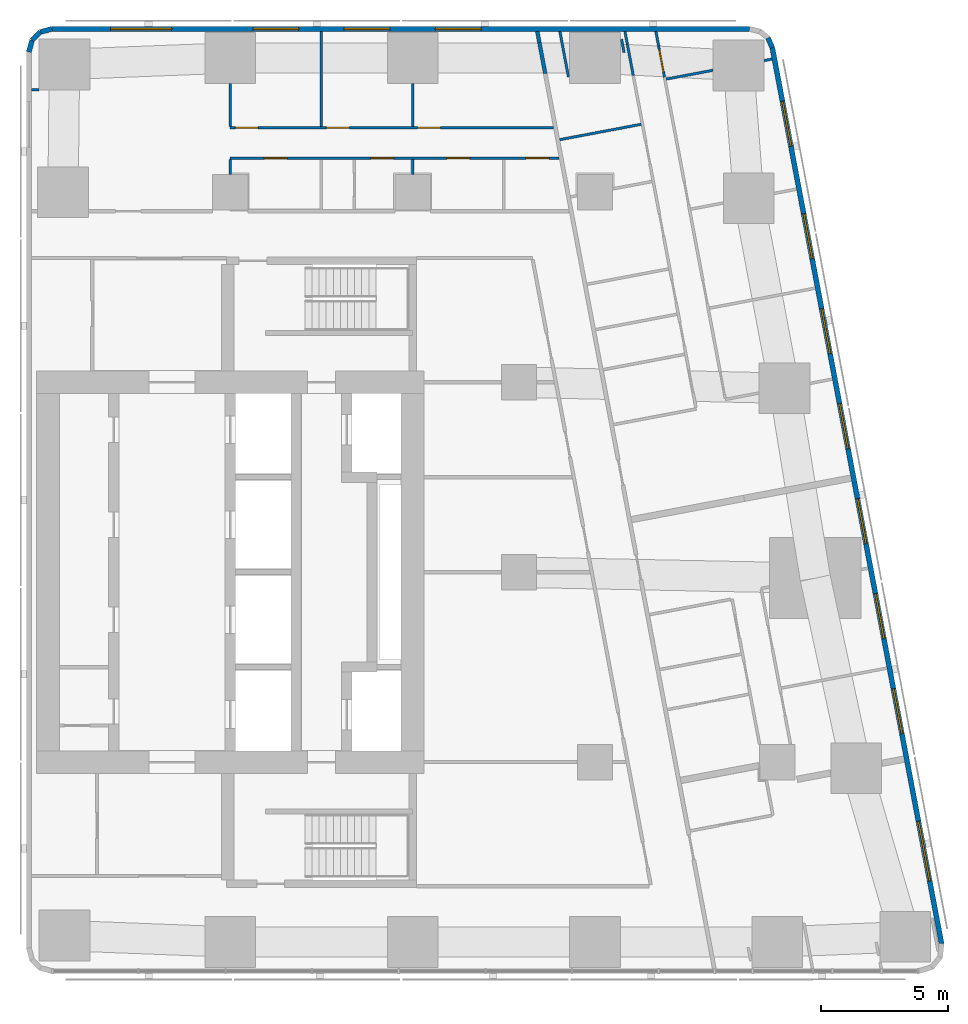
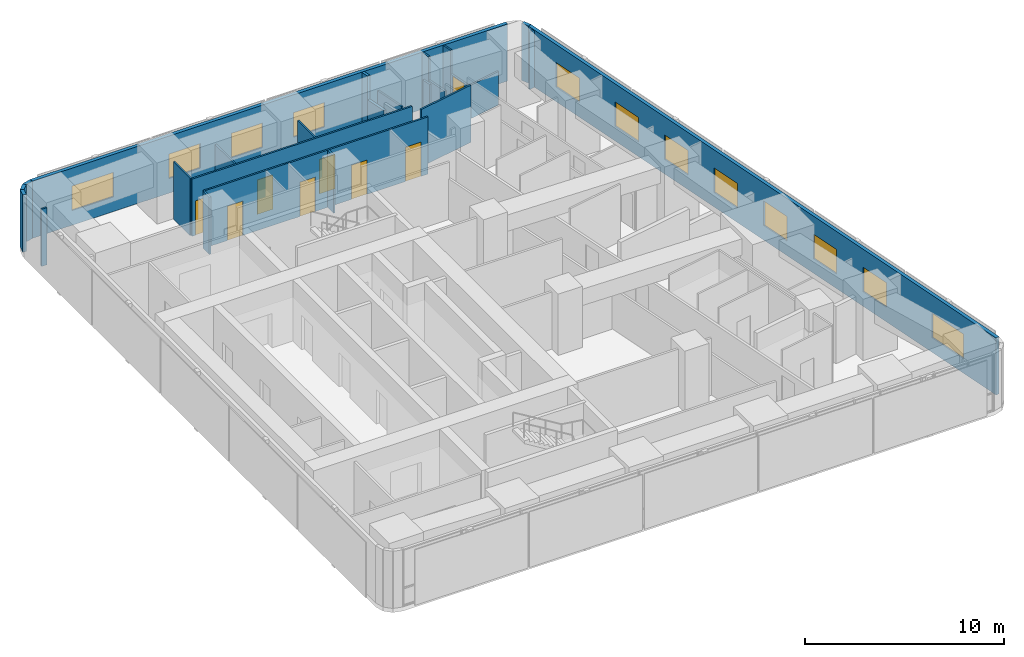
# One storey, part 8 of 11: 25 walls, 12 windows, 8 doors, 20 openings.
"""IFC4 building model written with IfcOpenShell, lengths in metres."""

from ifc_helpers import new_model, si_unit, direction, frame, frame_2d, origin, place, context, subcontext, project, spatial, rectangle, extrude, material, layer, layer_set, type_object, element, fill, save


model = new_model("IFC4")

# Units and contexts
model_context = context("Model", 3, precision=1e-05, world=origin(), true_north=direction((0.0, 1.0)))
body_context = subcontext(model_context, "Body", "Model", "MODEL_VIEW")
ifc_project = project(units=[si_unit("LENGTHUNIT", "METRE"), si_unit("AREAUNIT", "SQUARE_METRE"), si_unit("VOLUMEUNIT", "CUBIC_METRE"), si_unit("PLANEANGLEUNIT", "RADIAN"), si_unit("MASSUNIT", "GRAM", prefix="KILO")], contexts=[model_context])

# Site, building, storey
site_placement = place(None, origin())
site = spatial("IfcSite", under=ifc_project, at=site_placement, CompositionType="ELEMENT")
building_placement = place(site_placement, origin())
building = spatial("IfcBuilding", under=site, at=building_placement, Name="Sheger Commons Tower", CompositionType="ELEMENT")
storey_placement = place(building_placement, frame((0.0, 0.0, 270.35009765625)))
storey = spatial("IfcBuildingStorey", under=building, at=storey_placement, Name="L69", CompositionType="ELEMENT", Elevation=270.35009765625)

# Walls
ifc_material_1 = material(Name="Hollow concrete block masonry, skimmed both sides", Category="masonry")
ifc_layer_1 = layer(ifc_material_1, 0.14990234375)
ifc_layer_set_1 = layer_set([ifc_layer_1], Name="CORRIDOR WALL 150")
wall_type_1 = type_object("IfcWallType", Name="CORRIDOR WALL 150", PredefinedType="SOLIDWALL", material=ifc_layer_set_1)
wall_1_placement = place(storey_placement, frame((33.721923828125, 43.85009765625, 0.0), z_axis=(0.0, 0.0, 1.0), x_axis=(0.184886516626, -0.982759877066, 0.0)))
element("IfcWall", 1, at=wall_1_placement, inside=storey, type_object=wall_type_1, Name="Corridor wall L69", PredefinedType="SOLIDWALL", context=body_context, shape_type="SweptSolid", body=[
    extrude(rectangle(XDim=0.443603515625, YDim=0.14990234375, at=frame_2d((0.2216796875, 0.0))), origin(), (0.0, 0.0, 1.0), 3.5),
])
wall_2_placement = place(storey_placement, frame((33.803955078125, 43.4140625, 0.0), z_axis=(0.0, 0.0, 1.0), x_axis=(0.185585816539, -0.982628060204, 0.0)))
element("IfcWall", 2, at=wall_2_placement, inside=storey, type_object=wall_type_1, Name="Corridor wall L69", PredefinedType="SOLIDWALL", context=body_context, shape_type="SweptSolid", body=[
    extrude(rectangle(XDim=1.249755859375, YDim=0.14990234375, at=frame_2d((0.625, 0.0))), origin(), (0.0, 0.0, 1.0), 2.0498046875),
])

# Wall, openings, windows
ifc_material_2 = material(Name="Rendered concrete block masonry, dark grey", Category="masonry")
ifc_layer_2 = layer(ifc_material_2, 0.199951171875)
ifc_layer_set_2 = layer_set([ifc_layer_2], Name="FACADE WALL 200")
wall_type_2 = type_object("IfcWallType", Name="FACADE WALL 200", PredefinedType="SOLIDWALL", material=ifc_layer_set_2)
wall_3_placement = place(storey_placement, frame((49.68408203125, 7.83203125, 0.0), z_axis=(0.0, 0.0, 1.0), x_axis=(-0.185616669694, 0.982622232565, 0.0)))
wall_3 = element("IfcWall", 3, at=wall_3_placement, inside=storey, type_object=wall_type_2, Name="Facade wall L69", PredefinedType="SOLIDWALL", context=body_context, shape_type="SweptSolid", body=[
    extrude(rectangle(XDim=35.99951171875, YDim=0.199951171875, at=frame_2d((17.999755859375, 0.0))), origin(), (0.0, 0.0, 1.0), 3.5),
])
opening_1_placement = place(wall_3_placement, frame((2.51806640625, 0.0, 0.89990234375)))
opening_1 = element("IfcOpeningElement", 4, at=opening_1_placement, cuts=wall_3, Name="Opening W1", PredefinedType="OPENING", context=body_context, shape_type="SweptSolid", body=[
    extrude(rectangle(XDim=2.39990234375, YDim=1.5, at=frame_2d((1.199951171875, 0.75))), frame((0.0, 0.10986328125, 0.0), z_axis=(0.0, -1.0, 0.0), x_axis=(1.0, 0.0, 0.0)), (0.0, 0.0, 1.0), 0.219970703125),
])
opening_2_placement = place(wall_3_placement, frame((8.444091796875, 0.0, 0.89990234375)))
opening_2 = element("IfcOpeningElement", 5, at=opening_2_placement, cuts=wall_3, Name="Opening W2", PredefinedType="OPENING", context=body_context, shape_type="SweptSolid", body=[
    extrude(rectangle(XDim=1.800048828125, YDim=1.5, at=frame_2d((0.89990234375, 0.75))), frame((0.0, 0.10986328125, 0.0), z_axis=(0.0, -1.0, 0.0), x_axis=(1.0, 0.0, 0.0)), (0.0, 0.0, 1.0), 0.219970703125),
])
opening_3_placement = place(wall_3_placement, frame((12.260986328125, 0.0, 0.89990234375)))
opening_3 = element("IfcOpeningElement", 6, at=opening_3_placement, cuts=wall_3, Name="Opening W2", PredefinedType="OPENING", context=body_context, shape_type="SweptSolid", body=[
    extrude(rectangle(XDim=1.800048828125, YDim=1.5, at=frame_2d((0.89990234375, 0.75))), frame((0.0, 0.10986328125, 0.0), z_axis=(0.0, -1.0, 0.0), x_axis=(1.0, 0.0, 0.0)), (0.0, 0.0, 1.0), 0.219970703125),
])
opening_4_placement = place(wall_3_placement, frame((16.077880859375, 0.0, 0.89990234375)))
opening_4 = element("IfcOpeningElement", 7, at=opening_4_placement, cuts=wall_3, Name="Opening W2", PredefinedType="OPENING", context=body_context, shape_type="SweptSolid", body=[
    extrude(rectangle(XDim=1.800048828125, YDim=1.5, at=frame_2d((0.89990234375, 0.75))), frame((0.0, 0.10986328125, 0.0), z_axis=(0.0, -1.0, 0.0), x_axis=(1.0, 0.0, 0.0)), (0.0, 0.0, 1.0), 0.219970703125),
])
opening_5_placement = place(wall_3_placement, frame((19.89404296875, 0.0, 0.89990234375)))
opening_5 = element("IfcOpeningElement", 8, at=opening_5_placement, cuts=wall_3, Name="Opening W2", PredefinedType="OPENING", context=body_context, shape_type="SweptSolid", body=[
    extrude(rectangle(XDim=1.800048828125, YDim=1.5, at=frame_2d((0.89990234375, 0.75))), frame((0.0, 0.10986328125, 0.0), z_axis=(0.0, -1.0, 0.0), x_axis=(1.0, 0.0, 0.0)), (0.0, 0.0, 1.0), 0.219970703125),
])
opening_6_placement = place(wall_3_placement, frame((23.7099609375, 0.0, 0.89990234375)))
opening_6 = element("IfcOpeningElement", 9, at=opening_6_placement, cuts=wall_3, Name="Opening W2", PredefinedType="OPENING", context=body_context, shape_type="SweptSolid", body=[
    extrude(rectangle(XDim=1.800048828125, YDim=1.5, at=frame_2d((0.89990234375, 0.75))), frame((0.0, 0.10986328125, 0.0), z_axis=(0.0, -1.0, 0.0), x_axis=(1.0, 0.0, 0.0)), (0.0, 0.0, 1.0), 0.219970703125),
])
opening_7_placement = place(wall_3_placement, frame((27.52587890625, 0.0, 0.89990234375)))
opening_7 = element("IfcOpeningElement", 10, at=opening_7_placement, cuts=wall_3, Name="Opening W2", PredefinedType="OPENING", context=body_context, shape_type="SweptSolid", body=[
    extrude(rectangle(XDim=1.800048828125, YDim=1.5, at=frame_2d((0.89990234375, 0.75))), frame((0.0, 0.10986328125, 0.0), z_axis=(0.0, -1.0, 0.0), x_axis=(1.0, 0.0, 0.0)), (0.0, 0.0, 1.0), 0.219970703125),
])
opening_8_placement = place(wall_3_placement, frame((32.0458984375, 0.0, 0.89990234375)))
opening_8 = element("IfcOpeningElement", 11, at=opening_8_placement, cuts=wall_3, Name="Opening W2", PredefinedType="OPENING", context=body_context, shape_type="SweptSolid", body=[
    extrude(rectangle(XDim=1.800048828125, YDim=1.5, at=frame_2d((0.89990234375, 0.75))), frame((0.0, 0.10986328125, 0.0), z_axis=(0.0, -1.0, 0.0), x_axis=(1.0, 0.0, 0.0)), (0.0, 0.0, 1.0), 0.219970703125),
])
ifc_material_3 = material(Name="Black aluminium frame, dark tinted double glazing", Category="aluminium")
window_type_1 = type_object("IfcWindowType", Name="WINDOW W1 2400x1500", PartitioningType="SINGLE_PANEL", PredefinedType="WINDOW", material=ifc_material_3)
window_1_placement = place(opening_1_placement, origin())
window_1 = element("IfcWindow", 12, at=window_1_placement, inside=storey, type_object=window_type_1, Name="Window W1 2400X1500", OverallHeight=1.5, OverallWidth=2.39990234375, PartitioningType="SINGLE_PANEL", PredefinedType="WINDOW", context=body_context, shape_type="SweptSolid", body=[
    extrude(rectangle(XDim=2.39990234375, YDim=1.5, at=frame_2d((1.199951171875, 0.75))), frame((0.0, 0.030029296875, 0.0), z_axis=(0.0, -1.0, 0.0), x_axis=(1.0, 0.0, 0.0)), (0.0, 0.0, 1.0), 0.06005859375),
])
fill(opening_1, window_1)
ifc_material_4 = material(Name="Black aluminium frame, dark tinted double glazing", Category="aluminium")
window_type_2 = type_object("IfcWindowType", Name="WINDOW W2 1800x1500", PartitioningType="SINGLE_PANEL", PredefinedType="WINDOW", material=ifc_material_4)
window_2_placement = place(opening_2_placement, origin())
window_2 = element("IfcWindow", 13, at=window_2_placement, inside=storey, type_object=window_type_2, Name="Window W2 1800X1500", OverallHeight=1.5, OverallWidth=1.800048828125, PartitioningType="SINGLE_PANEL", PredefinedType="WINDOW", context=body_context, shape_type="SweptSolid", body=[
    extrude(rectangle(XDim=1.800048828125, YDim=1.5, at=frame_2d((0.89990234375, 0.75))), frame((0.0, 0.030029296875, 0.0), z_axis=(0.0, -1.0, 0.0), x_axis=(1.0, 0.0, 0.0)), (0.0, 0.0, 1.0), 0.06005859375),
])
fill(opening_2, window_2)
window_3_placement = place(opening_3_placement, origin())
window_3 = element("IfcWindow", 14, at=window_3_placement, inside=storey, type_object=window_type_2, Name="Window W2 1800X1500", OverallHeight=1.5, OverallWidth=1.800048828125, PartitioningType="SINGLE_PANEL", PredefinedType="WINDOW", context=body_context, shape_type="SweptSolid", body=[
    extrude(rectangle(XDim=1.800048828125, YDim=1.5, at=frame_2d((0.89990234375, 0.75))), frame((0.0, 0.030029296875, 0.0), z_axis=(0.0, -1.0, 0.0), x_axis=(1.0, 0.0, 0.0)), (0.0, 0.0, 1.0), 0.06005859375),
])
fill(opening_3, window_3)
window_4_placement = place(opening_4_placement, origin())
window_4 = element("IfcWindow", 15, at=window_4_placement, inside=storey, type_object=window_type_2, Name="Window W2 1800X1500", OverallHeight=1.5, OverallWidth=1.800048828125, PartitioningType="SINGLE_PANEL", PredefinedType="WINDOW", context=body_context, shape_type="SweptSolid", body=[
    extrude(rectangle(XDim=1.800048828125, YDim=1.5, at=frame_2d((0.89990234375, 0.75))), frame((0.0, 0.030029296875, 0.0), z_axis=(0.0, -1.0, 0.0), x_axis=(1.0, 0.0, 0.0)), (0.0, 0.0, 1.0), 0.06005859375),
])
fill(opening_4, window_4)
window_5_placement = place(opening_5_placement, origin())
window_5 = element("IfcWindow", 16, at=window_5_placement, inside=storey, type_object=window_type_2, Name="Window W2 1800X1500", OverallHeight=1.5, OverallWidth=1.800048828125, PartitioningType="SINGLE_PANEL", PredefinedType="WINDOW", context=body_context, shape_type="SweptSolid", body=[
    extrude(rectangle(XDim=1.800048828125, YDim=1.5, at=frame_2d((0.89990234375, 0.75))), frame((0.0, 0.030029296875, 0.0), z_axis=(0.0, -1.0, 0.0), x_axis=(1.0, 0.0, 0.0)), (0.0, 0.0, 1.0), 0.06005859375),
])
fill(opening_5, window_5)
window_6_placement = place(opening_6_placement, origin())
window_6 = element("IfcWindow", 17, at=window_6_placement, inside=storey, type_object=window_type_2, Name="Window W2 1800X1500", OverallHeight=1.5, OverallWidth=1.800048828125, PartitioningType="SINGLE_PANEL", PredefinedType="WINDOW", context=body_context, shape_type="SweptSolid", body=[
    extrude(rectangle(XDim=1.800048828125, YDim=1.5, at=frame_2d((0.89990234375, 0.75))), frame((0.0, 0.030029296875, 0.0), z_axis=(0.0, -1.0, 0.0), x_axis=(1.0, 0.0, 0.0)), (0.0, 0.0, 1.0), 0.06005859375),
])
fill(opening_6, window_6)
window_7_placement = place(opening_7_placement, origin())
window_7 = element("IfcWindow", 18, at=window_7_placement, inside=storey, type_object=window_type_2, Name="Window W2 1800X1500", OverallHeight=1.5, OverallWidth=1.800048828125, PartitioningType="SINGLE_PANEL", PredefinedType="WINDOW", context=body_context, shape_type="SweptSolid", body=[
    extrude(rectangle(XDim=1.800048828125, YDim=1.5, at=frame_2d((0.89990234375, 0.75))), frame((0.0, 0.030029296875, 0.0), z_axis=(0.0, -1.0, 0.0), x_axis=(1.0, 0.0, 0.0)), (0.0, 0.0, 1.0), 0.06005859375),
])
fill(opening_7, window_7)
window_8_placement = place(opening_8_placement, origin())
window_8 = element("IfcWindow", 19, at=window_8_placement, inside=storey, type_object=window_type_2, Name="Window W2 1800X1500", OverallHeight=1.5, OverallWidth=1.800048828125, PartitioningType="SINGLE_PANEL", PredefinedType="WINDOW", context=body_context, shape_type="SweptSolid", body=[
    extrude(rectangle(XDim=1.800048828125, YDim=1.5, at=frame_2d((0.89990234375, 0.75))), frame((0.0, 0.030029296875, 0.0), z_axis=(0.0, -1.0, 0.0), x_axis=(1.0, 0.0, 0.0)), (0.0, 0.0, 1.0), 0.06005859375),
])
fill(opening_8, window_8)

# Wall
wall_4_placement = place(storey_placement, frame((43.001953125, 43.2060546875, 0.0), z_axis=(0.0, 0.0, 1.0), x_axis=(-0.40678170573, 0.913525393124, 0.0)))
element("IfcWall", 20, at=wall_4_placement, inside=storey, type_object=wall_type_2, Name="Facade wall L69", PredefinedType="SOLIDWALL", context=body_context, shape_type="SweptSolid", body=[
    extrude(rectangle(XDim=0.422607421875, YDim=0.199951171875, at=frame_2d((0.21142578125, 0.0))), origin(), (0.0, 0.0, 1.0), 3.5),
])

# Wall, openings, windows
wall_5_placement = place(storey_placement, frame((42.10302734375, 43.949951171875, 0.0), z_axis=(0.0, 0.0, 1.0), x_axis=(-1.0, 0.0, 0.0)))
wall_5 = element("IfcWall", 21, at=wall_5_placement, inside=storey, type_object=wall_type_2, Name="Facade wall L69", PredefinedType="SOLIDWALL", context=body_context, shape_type="SweptSolid", body=[
    extrude(rectangle(XDim=27.5400390625, YDim=0.199951171875, at=frame_2d((13.77001953125, 0.0))), origin(), (0.0, 0.0, 1.0), 3.5),
])
opening_9_placement = place(wall_5_placement, frame((10.60302734375, 0.0, 0.89990234375)))
opening_9 = element("IfcOpeningElement", 22, at=opening_9_placement, cuts=wall_5, Name="Opening W2", PredefinedType="OPENING", context=body_context, shape_type="SweptSolid", body=[
    extrude(rectangle(XDim=1.800048828125, YDim=1.5, at=frame_2d((0.89990234375, 0.75))), frame((0.0, 0.10986328125, 0.0), z_axis=(0.0, -1.0, 0.0), x_axis=(1.0, 0.0, 0.0)), (0.0, 0.0, 1.0), 0.219970703125),
])
opening_10_placement = place(wall_5_placement, frame((14.202880859375, 0.0, 0.89990234375)))
opening_10 = element("IfcOpeningElement", 23, at=opening_10_placement, cuts=wall_5, Name="Opening W2", PredefinedType="OPENING", context=body_context, shape_type="SweptSolid", body=[
    extrude(rectangle(XDim=1.800048828125, YDim=1.5, at=frame_2d((0.89990234375, 0.75))), frame((0.0, 0.10986328125, 0.0), z_axis=(0.0, -1.0, 0.0), x_axis=(1.0, 0.0, 0.0)), (0.0, 0.0, 1.0), 0.219970703125),
])
opening_11_placement = place(wall_5_placement, frame((17.802978515625, 0.0, 0.89990234375)))
opening_11 = element("IfcOpeningElement", 24, at=opening_11_placement, cuts=wall_5, Name="Opening W2", PredefinedType="OPENING", context=body_context, shape_type="SweptSolid", body=[
    extrude(rectangle(XDim=1.800048828125, YDim=1.5, at=frame_2d((0.89990234375, 0.75))), frame((0.0, 0.10986328125, 0.0), z_axis=(0.0, -1.0, 0.0), x_axis=(1.0, 0.0, 0.0)), (0.0, 0.0, 1.0), 0.219970703125),
])
opening_12_placement = place(wall_5_placement, frame((22.822021484375, 0.0, 0.89990234375)))
opening_12 = element("IfcOpeningElement", 25, at=opening_12_placement, cuts=wall_5, Name="Opening W1", PredefinedType="OPENING", context=body_context, shape_type="SweptSolid", body=[
    extrude(rectangle(XDim=2.39990234375, YDim=1.5, at=frame_2d((1.199951171875, 0.75))), frame((0.0, 0.10986328125, 0.0), z_axis=(0.0, -1.0, 0.0), x_axis=(1.0, 0.0, 0.0)), (0.0, 0.0, 1.0), 0.219970703125),
])
window_9_placement = place(opening_12_placement, origin())
window_9 = element("IfcWindow", 26, at=window_9_placement, inside=storey, type_object=window_type_1, Name="Window W1 2400X1500", OverallHeight=1.5, OverallWidth=2.39990234375, PartitioningType="SINGLE_PANEL", PredefinedType="WINDOW", context=body_context, shape_type="SweptSolid", body=[
    extrude(rectangle(XDim=2.39990234375, YDim=1.5, at=frame_2d((1.199951171875, 0.75))), frame((0.0, 0.030029296875, 0.0), z_axis=(0.0, -1.0, 0.0), x_axis=(1.0, 0.0, 0.0)), (0.0, 0.0, 1.0), 0.06005859375),
])
fill(opening_12, window_9)
window_10_placement = place(opening_9_placement, origin())
window_10 = element("IfcWindow", 27, at=window_10_placement, inside=storey, type_object=window_type_2, Name="Window W2 1800X1500", OverallHeight=1.5, OverallWidth=1.800048828125, PartitioningType="SINGLE_PANEL", PredefinedType="WINDOW", context=body_context, shape_type="SweptSolid", body=[
    extrude(rectangle(XDim=1.800048828125, YDim=1.5, at=frame_2d((0.89990234375, 0.75))), frame((0.0, 0.030029296875, 0.0), z_axis=(0.0, -1.0, 0.0), x_axis=(1.0, 0.0, 0.0)), (0.0, 0.0, 1.0), 0.06005859375),
])
fill(opening_9, window_10)
window_11_placement = place(opening_10_placement, origin())
window_11 = element("IfcWindow", 28, at=window_11_placement, inside=storey, type_object=window_type_2, Name="Window W2 1800X1500", OverallHeight=1.5, OverallWidth=1.800048828125, PartitioningType="SINGLE_PANEL", PredefinedType="WINDOW", context=body_context, shape_type="SweptSolid", body=[
    extrude(rectangle(XDim=1.800048828125, YDim=1.5, at=frame_2d((0.89990234375, 0.75))), frame((0.0, 0.030029296875, 0.0), z_axis=(0.0, -1.0, 0.0), x_axis=(1.0, 0.0, 0.0)), (0.0, 0.0, 1.0), 0.06005859375),
])
fill(opening_10, window_11)
window_12_placement = place(opening_11_placement, origin())
window_12 = element("IfcWindow", 29, at=window_12_placement, inside=storey, type_object=window_type_2, Name="Window W2 1800X1500", OverallHeight=1.5, OverallWidth=1.800048828125, PartitioningType="SINGLE_PANEL", PredefinedType="WINDOW", context=body_context, shape_type="SweptSolid", body=[
    extrude(rectangle(XDim=1.800048828125, YDim=1.5, at=frame_2d((0.89990234375, 0.75))), frame((0.0, 0.030029296875, 0.0), z_axis=(0.0, -1.0, 0.0), x_axis=(1.0, 0.0, 0.0)), (0.0, 0.0, 1.0), 0.06005859375),
])
fill(opening_11, window_12)

# Walls
wall_6_placement = place(storey_placement, frame((14.56298828125, 43.949951171875, 0.0), z_axis=(0.0, 0.0, 1.0), x_axis=(-0.965655254015, -0.259826731483, 0.0)))
element("IfcWall", 30, at=wall_6_placement, inside=storey, type_object=wall_type_2, Name="Facade wall L69", PredefinedType="SOLIDWALL", context=body_context, shape_type="SweptSolid", body=[
    extrude(rectangle(XDim=0.477294921875, YDim=0.199951171875, at=frame_2d((0.23876953125, 0.0))), origin(), (0.0, 0.0, 1.0), 3.5),
])
wall_7_placement = place(storey_placement, frame((14.10205078125, 43.825927734375, 0.0), z_axis=(0.0, 0.0, 1.0), x_axis=(-0.707369890659, -0.706843573776, 0.0)))
element("IfcWall", 31, at=wall_7_placement, inside=storey, type_object=wall_type_2, Name="Facade wall L69", PredefinedType="SOLIDWALL", context=body_context, shape_type="SweptSolid", body=[
    extrude(rectangle(XDim=0.4638671875, YDim=0.199951171875, at=frame_2d((0.23193359375, 0.0))), origin(), (0.0, 0.0, 1.0), 3.5),
])
wall_8_placement = place(storey_placement, frame((13.77392578125, 43.498046875, 0.0), z_axis=(0.0, 0.0, 1.0), x_axis=(-0.259826731483, -0.965655254015, 0.0)))
element("IfcWall", 32, at=wall_8_placement, inside=storey, type_object=wall_type_2, Name="Facade wall L69", PredefinedType="SOLIDWALL", context=body_context, shape_type="SweptSolid", body=[
    extrude(rectangle(XDim=0.477294921875, YDim=0.199951171875, at=frame_2d((0.23876953125, 0.0))), origin(), (0.0, 0.0, 1.0), 3.5),
])
ifc_material_5 = material(Name="Gypsum board on steel studs", Category="steel")
ifc_layer_3 = layer(ifc_material_5, 0.10009765625)
ifc_layer_set_3 = layer_set([ifc_layer_3], Name="PARTITION 100")
wall_type_3 = type_object("IfcWallType", Name="PARTITION 100", PredefinedType="PARTITIONING", material=ifc_layer_set_3)
wall_9_placement = place(storey_placement, frame((34.951904296875, 42.054931640625, 0.0), z_axis=(0.0, 0.0, 1.0), x_axis=(-0.185490642006, 0.98264603074, 0.0)))
element("IfcWall", 33, at=wall_9_placement, inside=storey, type_object=wall_type_3, Name="Partition L69", PredefinedType="PARTITIONING", context=body_context, shape_type="SweptSolid", body=[
    extrude(rectangle(XDim=1.826904296875, YDim=0.10009765625, at=frame_2d((0.91357421875, 0.0))), origin(), (0.0, 0.0, 1.0), 2.0498046875),
])
wall_10_placement = place(storey_placement, frame((37.049072265625, 43.5390625, 0.0), z_axis=(0.0, 0.0, 1.0), x_axis=(0.186119495745, -0.982527115811, 0.0)))
element("IfcWall", 34, at=wall_10_placement, inside=storey, type_object=wall_type_3, Name="Partition L69", PredefinedType="PARTITIONING", context=body_context, shape_type="SweptSolid", body=[
    extrude(rectangle(XDim=0.53125, YDim=0.10009765625, at=frame_2d((0.265625, 0.0))), origin(), (0.0, 0.0, 1.0), 2.0498046875),
])
wall_11_placement = place(storey_placement, frame((38.403076171875, 43.85009765625, 0.0), z_axis=(0.0, 0.0, 1.0), x_axis=(0.184976954078, -0.982742858768, 0.0)))
element("IfcWall", 35, at=wall_11_placement, inside=storey, type_object=wall_type_3, Name="Partition L69", PredefinedType="PARTITIONING", context=body_context, shape_type="SweptSolid", body=[
    extrude(rectangle(XDim=0.578125, YDim=0.10009765625, at=frame_2d((0.2890625, 0.0))), origin(), (0.0, 0.0, 1.0), 3.5),
])

# Wall, opening, door
wall_12_placement = place(storey_placement, frame((38.510009765625, 43.281982421875, 0.0), z_axis=(0.0, 0.0, 1.0), x_axis=(0.185775287495, -0.982592256511, 0.0)))
wall_12 = element("IfcWall", 36, at=wall_12_placement, inside=storey, type_object=wall_type_3, Name="Partition L69", PredefinedType="PARTITIONING", context=body_context, shape_type="SweptSolid", body=[
    extrude(rectangle(XDim=1.259033203125, YDim=0.10009765625, at=frame_2d((0.62939453125, 0.0))), origin(), (0.0, 0.0, 1.0), 2.0498046875),
])
opening_13_placement = place(wall_12_placement, frame((0.14990234375, 0.0, 0.0)))
opening_13 = element("IfcOpeningElement", 37, at=opening_13_placement, cuts=wall_12, Name="Opening D11", PredefinedType="OPENING", context=body_context, shape_type="SweptSolid", body=[
    extrude(rectangle(XDim=0.89990234375, YDim=2.0, at=frame_2d((0.449951171875, 1.0))), frame((0.0, 0.06005859375, 0.0), z_axis=(0.0, -1.0, 0.0), x_axis=(1.0, 0.0, 0.0)), (0.0, 0.0, 1.0), 0.1201171875),
])
ifc_material_6 = material(Name="Timber door set", Category="wood")
door_type_1 = type_object("IfcDoorType", Name="INTERNAL DOOR 900x2000", OperationType="NOTDEFINED", PredefinedType="DOOR", material=ifc_material_6)
door_1_placement = place(opening_13_placement, origin())
door_1 = element("IfcDoor", 38, at=door_1_placement, inside=storey, type_object=door_type_1, Name="Dressing room door", OperationType="SINGLE_SWING_LEFT", OverallHeight=2.0, OverallWidth=0.89990234375, PredefinedType="DOOR", context=body_context, shape_type="SweptSolid", body=[
    extrude(rectangle(XDim=0.89990234375, YDim=2.0, at=frame_2d((0.449951171875, 1.0))), frame((0.0, 0.02490234375, 0.0), z_axis=(0.0, -1.0, 0.0), x_axis=(1.0, 0.0, 0.0)), (0.0, 0.0, 1.0), 0.050048828125),
])
fill(opening_13, door_1)

# Walls
wall_13_placement = place(storey_placement, frame((37.181884765625, 43.85009765625, 0.0), z_axis=(0.0, 0.0, 1.0), x_axis=(0.18558124934, -0.982628922785, 0.0)))
element("IfcWall", 39, at=wall_13_placement, inside=storey, type_object=wall_type_3, Name="Partition L69", PredefinedType="PARTITIONING", context=body_context, shape_type="SweptSolid", body=[
    extrude(rectangle(XDim=0.51318359375, YDim=0.10009765625, at=frame_2d((0.256591796875, 0.0))), origin(), (0.0, 0.0, 1.0), 3.5),
])
wall_14_placement = place(storey_placement, frame((37.277099609375, 43.345947265625, 0.0), z_axis=(0.0, 0.0, 1.0), x_axis=(0.185775287495, -0.982592256511, 0.0)))
element("IfcWall", 40, at=wall_14_placement, inside=storey, type_object=wall_type_3, Name="Partition L69", PredefinedType="PARTITIONING", context=body_context, shape_type="SweptSolid", body=[
    extrude(rectangle(XDim=1.259033203125, YDim=0.10009765625, at=frame_2d((0.62939453125, 0.0))), origin(), (0.0, 0.0, 1.0), 2.0498046875),
])
wall_15_placement = place(storey_placement, frame((42.985107421875, 42.7548828125, 0.0), z_axis=(0.0, 0.0, 1.0), x_axis=(-0.98281924824, -0.184570651215, 0.0)))
element("IfcWall", 41, at=wall_15_placement, inside=storey, type_object=wall_type_3, Name="Partition L69", PredefinedType="PARTITIONING", context=body_context, shape_type="SweptSolid", body=[
    extrude(rectangle(XDim=0.3134765625, YDim=0.10009765625, at=frame_2d((0.15673828125, 0.0))), origin(), (0.0, 0.0, 1.0), 3.5),
])
wall_16_placement = place(storey_placement, frame((40.656982421875, 42.31494140625, 0.0), z_axis=(0.0, 0.0, 1.0), x_axis=(-0.982622785543, -0.185613742305, 0.0)))
element("IfcWall", 42, at=wall_16_placement, inside=storey, type_object=wall_type_3, Name="Partition L69", PredefinedType="PARTITIONING", context=body_context, shape_type="SweptSolid", body=[
    extrude(rectangle(XDim=1.879638671875, YDim=0.10009765625, at=frame_2d((0.93994140625, 0.0))), origin(), (0.0, 0.0, 1.0), 2.0498046875),
])
wall_17_placement = place(storey_placement, frame((37.823974609375, 40.181884765625, 0.0), z_axis=(0.0, 0.0, 1.0), x_axis=(-0.982674977865, -0.185337227447, 0.0)))
element("IfcWall", 43, at=wall_17_placement, inside=storey, type_object=wall_type_3, Name="Partition L69", PredefinedType="PARTITIONING", context=body_context, shape_type="SweptSolid", body=[
    extrude(rectangle(XDim=3.274658203125, YDim=0.10009765625, at=frame_2d((1.63720703125, 0.0))), origin(), (0.0, 0.0, 1.0), 3.5),
])
wall_18_placement = place(storey_placement, frame((14.053955078125, 41.5458984375, 0.0), z_axis=(0.0, 0.0, 1.0), x_axis=(-1.0, 0.0, 0.0)))
element("IfcWall", 44, at=wall_18_placement, inside=storey, type_object=wall_type_3, Name="Partition L69", PredefinedType="PARTITIONING", context=body_context, shape_type="SweptSolid", body=[
    extrude(rectangle(XDim=0.303955078125, YDim=0.10009765625, at=frame_2d((0.15185546875, 0.0))), origin(), (0.0, 0.0, 1.0), 3.5),
])

# Wall, openings, doors
wall_19_placement = place(storey_placement, frame((21.60009765625, 40.050048828125, 0.0), z_axis=(0.0, 0.0, 1.0), x_axis=(1.0, 0.0, 0.0)))
wall_19 = element("IfcWall", 45, at=wall_19_placement, inside=storey, type_object=wall_type_3, Name="Partition L69", PredefinedType="PARTITIONING", context=body_context, shape_type="SweptSolid", body=[
    extrude(rectangle(XDim=12.75390625, YDim=0.10009765625, at=frame_2d((6.376953125, 0.0))), origin(), (0.0, 0.0, 1.0), 3.5),
])
opening_14_placement = place(wall_19_placement, frame((0.199951171875, 0.0, 0.0)))
opening_14 = element("IfcOpeningElement", 46, at=opening_14_placement, cuts=wall_19, Name="Opening D2", PredefinedType="OPENING", context=body_context, shape_type="SweptSolid", body=[
    extrude(rectangle(XDim=0.89990234375, YDim=2.10009765625, at=frame_2d((0.449951171875, 1.050048828125))), frame((0.0, 0.06005859375, 0.0), z_axis=(0.0, -1.0, 0.0), x_axis=(1.0, 0.0, 0.0)), (0.0, 0.0, 1.0), 0.1201171875),
])
opening_15_placement = place(wall_19_placement, frame((3.800048828125, 0.0, 0.0)))
opening_15 = element("IfcOpeningElement", 47, at=opening_15_placement, cuts=wall_19, Name="Opening D2", PredefinedType="OPENING", context=body_context, shape_type="SweptSolid", body=[
    extrude(rectangle(XDim=0.89990234375, YDim=2.10009765625, at=frame_2d((0.449951171875, 1.050048828125))), frame((0.0, 0.06005859375, 0.0), z_axis=(0.0, -1.0, 0.0), x_axis=(1.0, 0.0, 0.0)), (0.0, 0.0, 1.0), 0.1201171875),
])
opening_16_placement = place(wall_19_placement, frame((7.39990234375, 0.0, 0.0)))
opening_16 = element("IfcOpeningElement", 48, at=opening_16_placement, cuts=wall_19, Name="Opening D2", PredefinedType="OPENING", context=body_context, shape_type="SweptSolid", body=[
    extrude(rectangle(XDim=0.89990234375, YDim=2.10009765625, at=frame_2d((0.449951171875, 1.050048828125))), frame((0.0, 0.06005859375, 0.0), z_axis=(0.0, -1.0, 0.0), x_axis=(1.0, 0.0, 0.0)), (0.0, 0.0, 1.0), 0.1201171875),
])
ifc_material_7 = material(Name="Timber door set", Category="wood")
door_type_2 = type_object("IfcDoorType", Name="INTERNAL DOOR 900x2100", OperationType="NOTDEFINED", PredefinedType="DOOR", material=ifc_material_7)
door_2_placement = place(opening_14_placement, origin())
door_2 = element("IfcDoor", 49, at=door_2_placement, inside=storey, type_object=door_type_2, Name="Main bedroom door", OperationType="SINGLE_SWING_LEFT", OverallHeight=2.10009765625, OverallWidth=0.89990234375, PredefinedType="DOOR", context=body_context, shape_type="SweptSolid", body=[
    extrude(rectangle(XDim=0.89990234375, YDim=2.10009765625, at=frame_2d((0.449951171875, 1.050048828125))), frame((0.0, 0.02490234375, 0.0), z_axis=(0.0, -1.0, 0.0), x_axis=(1.0, 0.0, 0.0)), (0.0, 0.0, 1.0), 0.050048828125),
])
fill(opening_14, door_2)
door_3_placement = place(opening_15_placement, origin())
door_3 = element("IfcDoor", 50, at=door_3_placement, inside=storey, type_object=door_type_2, Name="Bedroom 2 door", OperationType="SINGLE_SWING_LEFT", OverallHeight=2.10009765625, OverallWidth=0.89990234375, PredefinedType="DOOR", context=body_context, shape_type="SweptSolid", body=[
    extrude(rectangle(XDim=0.89990234375, YDim=2.10009765625, at=frame_2d((0.449951171875, 1.050048828125))), frame((0.0, 0.02490234375, 0.0), z_axis=(0.0, -1.0, 0.0), x_axis=(1.0, 0.0, 0.0)), (0.0, 0.0, 1.0), 0.050048828125),
])
fill(opening_15, door_3)
door_4_placement = place(opening_16_placement, origin())
door_4 = element("IfcDoor", 51, at=door_4_placement, inside=storey, type_object=door_type_2, Name="Bedroom 3 door", OperationType="SINGLE_SWING_LEFT", OverallHeight=2.10009765625, OverallWidth=0.89990234375, PredefinedType="DOOR", context=body_context, shape_type="SweptSolid", body=[
    extrude(rectangle(XDim=0.89990234375, YDim=2.10009765625, at=frame_2d((0.449951171875, 1.050048828125))), frame((0.0, 0.02490234375, 0.0), z_axis=(0.0, -1.0, 0.0), x_axis=(1.0, 0.0, 0.0)), (0.0, 0.0, 1.0), 0.050048828125),
])
fill(opening_16, door_4)

wall_20_placement = place(storey_placement, frame((21.60009765625, 38.85009765625, 0.0), z_axis=(0.0, 0.0, 1.0), x_axis=(1.0, 0.0, 0.0)))
wall_20 = element("IfcWall", 52, at=wall_20_placement, inside=storey, type_object=wall_type_3, Name="Partition L69", PredefinedType="PARTITIONING", context=body_context, shape_type="SweptSolid", body=[
    extrude(rectangle(XDim=12.98095703125, YDim=0.10009765625, at=frame_2d((6.490478515625, 0.0))), origin(), (0.0, 0.0, 1.0), 3.5),
])
opening_17_placement = place(wall_20_placement, frame((1.35009765625, 0.0, 0.0)))
opening_17 = element("IfcOpeningElement", 53, at=opening_17_placement, cuts=wall_20, Name="Opening D2", PredefinedType="OPENING", context=body_context, shape_type="SweptSolid", body=[
    extrude(rectangle(XDim=0.89990234375, YDim=2.10009765625, at=frame_2d((0.449951171875, 1.050048828125))), frame((0.0, 0.06005859375, 0.0), z_axis=(0.0, -1.0, 0.0), x_axis=(1.0, 0.0, 0.0)), (0.0, 0.0, 1.0), 0.1201171875),
])
opening_18_placement = place(wall_20_placement, frame((5.550048828125, 0.0, 0.0)))
opening_18 = element("IfcOpeningElement", 54, at=opening_18_placement, cuts=wall_20, Name="Opening D2", PredefinedType="OPENING", context=body_context, shape_type="SweptSolid", body=[
    extrude(rectangle(XDim=0.89990234375, YDim=2.10009765625, at=frame_2d((0.449951171875, 1.050048828125))), frame((0.0, 0.06005859375, 0.0), z_axis=(0.0, -1.0, 0.0), x_axis=(1.0, 0.0, 0.0)), (0.0, 0.0, 1.0), 0.1201171875),
])
opening_19_placement = place(wall_20_placement, frame((8.550048828125, 0.0, 0.0)))
opening_19 = element("IfcOpeningElement", 55, at=opening_19_placement, cuts=wall_20, Name="Opening D2", PredefinedType="OPENING", context=body_context, shape_type="SweptSolid", body=[
    extrude(rectangle(XDim=0.89990234375, YDim=2.10009765625, at=frame_2d((0.449951171875, 1.050048828125))), frame((0.0, 0.06005859375, 0.0), z_axis=(0.0, -1.0, 0.0), x_axis=(1.0, 0.0, 0.0)), (0.0, 0.0, 1.0), 0.1201171875),
])
opening_20_placement = place(wall_20_placement, frame((11.680908203125, 0.0, 0.0)))
opening_20 = element("IfcOpeningElement", 56, at=opening_20_placement, cuts=wall_20, Name="Opening D2", PredefinedType="OPENING", context=body_context, shape_type="SweptSolid", body=[
    extrude(rectangle(XDim=0.89990234375, YDim=2.10009765625, at=frame_2d((0.449951171875, 1.050048828125))), frame((0.0, 0.06005859375, 0.0), z_axis=(0.0, -1.0, 0.0), x_axis=(1.0, 0.0, 0.0)), (0.0, 0.0, 1.0), 0.1201171875),
])
door_5_placement = place(opening_17_placement, origin())
door_5 = element("IfcDoor", 57, at=door_5_placement, inside=storey, type_object=door_type_2, Name="Bathroom door", OperationType="SINGLE_SWING_RIGHT", OverallHeight=2.10009765625, OverallWidth=0.89990234375, PredefinedType="DOOR", context=body_context, shape_type="SweptSolid", body=[
    extrude(rectangle(XDim=0.89990234375, YDim=2.10009765625, at=frame_2d((0.449951171875, 1.050048828125))), frame((0.0, 0.02490234375, 0.0), z_axis=(0.0, -1.0, 0.0), x_axis=(1.0, 0.0, 0.0)), (0.0, 0.0, 1.0), 0.050048828125),
])
fill(opening_17, door_5)
door_6_placement = place(opening_18_placement, origin())
door_6 = element("IfcDoor", 58, at=door_6_placement, inside=storey, type_object=door_type_2, Name="Shower room door", OperationType="SINGLE_SWING_RIGHT", OverallHeight=2.10009765625, OverallWidth=0.89990234375, PredefinedType="DOOR", context=body_context, shape_type="SweptSolid", body=[
    extrude(rectangle(XDim=0.89990234375, YDim=2.10009765625, at=frame_2d((0.449951171875, 1.050048828125))), frame((0.0, 0.02490234375, 0.0), z_axis=(0.0, -1.0, 0.0), x_axis=(1.0, 0.0, 0.0)), (0.0, 0.0, 1.0), 0.050048828125),
])
fill(opening_18, door_6)
door_7_placement = place(opening_19_placement, origin())
door_7 = element("IfcDoor", 59, at=door_7_placement, inside=storey, type_object=door_type_2, Name="Laundry room door", OperationType="SINGLE_SWING_LEFT", OverallHeight=2.10009765625, OverallWidth=0.89990234375, PredefinedType="DOOR", context=body_context, shape_type="SweptSolid", body=[
    extrude(rectangle(XDim=0.89990234375, YDim=2.10009765625, at=frame_2d((0.449951171875, 1.050048828125))), frame((0.0, 0.02490234375, 0.0), z_axis=(0.0, -1.0, 0.0), x_axis=(1.0, 0.0, 0.0)), (0.0, 0.0, 1.0), 0.050048828125),
])
fill(opening_19, door_7)
door_8_placement = place(opening_20_placement, origin())
door_8 = element("IfcDoor", 60, at=door_8_placement, inside=storey, type_object=door_type_2, Name="Store and laundry door", OperationType="SINGLE_SWING_LEFT", OverallHeight=2.10009765625, OverallWidth=0.89990234375, PredefinedType="DOOR", context=body_context, shape_type="SweptSolid", body=[
    extrude(rectangle(XDim=0.89990234375, YDim=2.10009765625, at=frame_2d((0.449951171875, 1.050048828125))), frame((0.0, 0.02490234375, 0.0), z_axis=(0.0, -1.0, 0.0), x_axis=(1.0, 0.0, 0.0)), (0.0, 0.0, 1.0), 0.050048828125),
])
fill(opening_20, door_8)

# Walls
wall_21_placement = place(storey_placement, frame((21.60009765625, 40.10009765625, 0.0), z_axis=(0.0, 0.0, 1.0), x_axis=(0.0, 1.0, 0.0)))
element("IfcWall", 61, at=wall_21_placement, inside=storey, type_object=wall_type_3, Name="Partition L69", PredefinedType="PARTITIONING", context=body_context, shape_type="SweptSolid", body=[
    extrude(rectangle(XDim=1.698974609375, YDim=0.10009765625, at=frame_2d((0.849609375, 0.0))), origin(), (0.0, 0.0, 1.0), 3.5),
])
wall_22_placement = place(storey_placement, frame((25.199951171875, 40.10009765625, 0.0), z_axis=(0.0, 0.0, 1.0), x_axis=(0.0, 1.0, 0.0)))
element("IfcWall", 62, at=wall_22_placement, inside=storey, type_object=wall_type_3, Name="Partition L69", PredefinedType="PARTITIONING", context=body_context, shape_type="SweptSolid", body=[
    extrude(rectangle(XDim=3.75, YDim=0.10009765625, at=frame_2d((1.875, 0.0))), origin(), (0.0, 0.0, 1.0), 2.0498046875),
])
wall_23_placement = place(storey_placement, frame((28.800048828125, 40.10009765625, 0.0), z_axis=(0.0, 0.0, 1.0), x_axis=(0.0, 1.0, 0.0)))
element("IfcWall", 63, at=wall_23_placement, inside=storey, type_object=wall_type_3, Name="Partition L69", PredefinedType="PARTITIONING", context=body_context, shape_type="SweptSolid", body=[
    extrude(rectangle(XDim=1.698974609375, YDim=0.10009765625, at=frame_2d((0.849609375, 0.0))), origin(), (0.0, 0.0, 1.0), 3.5),
])
for number, where, z_axis, x_axis, name in (
    (64, (21.60009765625, 38.200927734375, 0.0), (0.0, 0.0, 1.0), (0.0, 1.0, 0.0), "Partition L69"),
    (65, (28.800048828125, 38.200927734375, 0.0), (0.0, 0.0, 1.0), (0.0, 1.0, 0.0), "Partition L69"),
):
    element("IfcWall", number, at=place(storey_placement, frame(where, z_axis=z_axis, x_axis=x_axis)), inside=storey, type_object=wall_type_3, Name=name, PredefinedType="PARTITIONING", context=body_context, shape_type="SweptSolid", body=[
        extrude(rectangle(XDim=0.59912109375, YDim=0.10009765625, at=frame_2d((0.299560546875, 0.0))), origin(), (0.0, 0.0, 1.0), 3.5),
    ])

save(model, "model.ifc")
